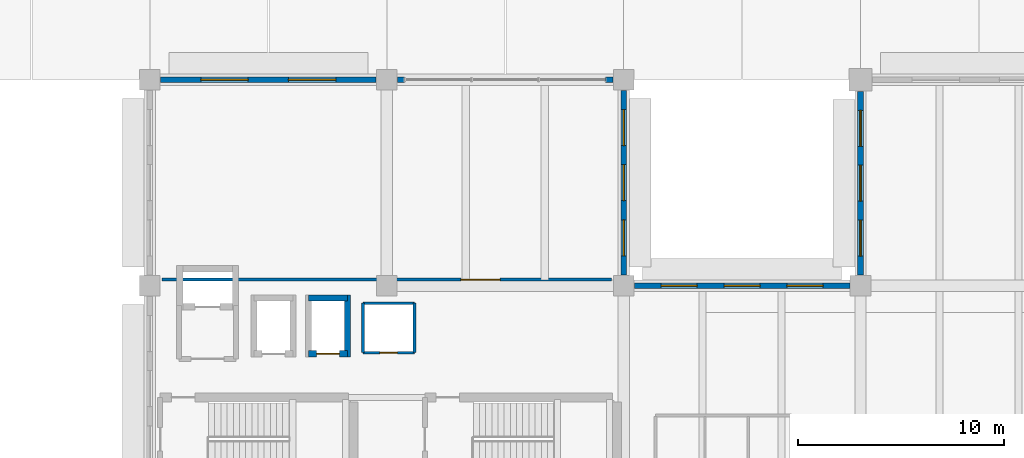
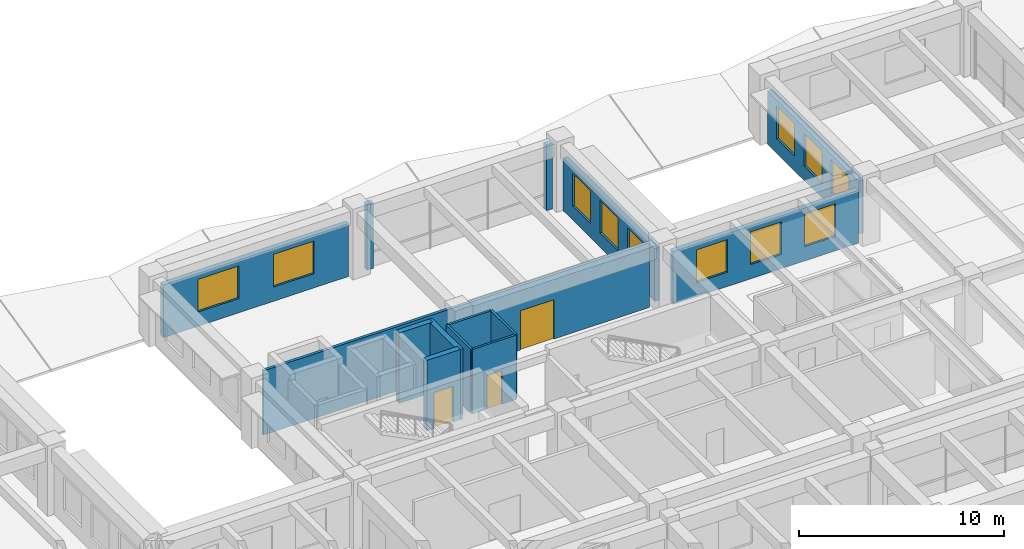
# One storey, part 75 of 98: 14 walls, 11 windows, 3 doors, 14 openings.
"""IFC4 building model written with IfcOpenShell, lengths in metres."""

import ifcopenshell
import ifcopenshell.guid

model = None  # the IFC model being written
_history = None  # IfcOwnerHistory: only IFC2X3 demands one
_inside = {}  # id of a spatial element -> (the spatial element, [elements in it])
_under = {}  # id of a project, library or spatial element -> (it, [spatial elements below it])
_declared = {}  # id of a project -> (the project, [libraries it declares])
_typed = {}  # id of a type object -> (the type object, [elements of that type])
_made_of = {}  # id of a material, layer set ... -> (it, [elements and type objects made of it])


def new_model(schema):
    """Start an empty IFC model of exactly this schema.

    Asked for "IFC4X3", IfcOpenShell would pick the latest addendum, in which some entities
    have other attributes; the version numbers below select the first issue.
    IFC2X3 requires an IfcOwnerHistory on every rooted entity: one is made here for all.
    """
    global model, _history
    if schema == "IFC4X3":
        model = ifcopenshell.file(schema_version=(4, 3, 0, 0))
    else:
        model = ifcopenshell.file(schema=schema)
    _inside.clear()
    _under.clear()
    _declared.clear()
    _typed.clear()
    _made_of.clear()
    _history = None
    if model.schema == "IFC2X3":
        org = make("IfcOrganization", Name="unknown")
        user = make(
            "IfcPersonAndOrganization",
            ThePerson=make("IfcPerson", FamilyName="unknown"),
            TheOrganization=org,
        )
        app = make(
            "IfcApplication",
            ApplicationDeveloper=org,
            Version="unknown",
            ApplicationFullName="unknown",
            ApplicationIdentifier="unknown",
        )
        _history = make(
            "IfcOwnerHistory",
            OwningUser=user,
            OwningApplication=app,
            ChangeAction="ADDED",
            CreationDate=0,
        )
    return model


def make(cls, **values):
    """One entity of the class cls with the attributes given. An attribute that is None is left unset."""
    return model.create_entity(
        cls, **{name: value for name, value in values.items() if value is not None}
    )


def rooted(cls, **values):
    """An entity with a GlobalId (a new one), such as an element, a storey or a relation."""
    return make(cls, GlobalId=ifcopenshell.guid.new(), OwnerHistory=_history, **values)


def si_unit(unit_type, name, prefix=None):
    """IfcSIUnit, for example si_unit("LENGTHUNIT", "METRE", prefix="MILLI")."""
    return make("IfcSIUnit", UnitType=unit_type, Prefix=prefix, Name=name)


def assignment(units):
    """IfcUnitAssignment: the units of a project."""
    return None if units is None else make("IfcUnitAssignment", Units=units)


def point(xyz):
    """IfcCartesianPoint."""
    return None if xyz is None else make("IfcCartesianPoint", Coordinates=xyz)


def direction(xyz):
    """IfcDirection."""
    return None if xyz is None else make("IfcDirection", DirectionRatios=xyz)


def frame(location, z_axis=None, x_axis=None):
    """IfcAxis2Placement3D, a coordinate frame: its origin and axes. An axis left out is left unset."""
    return make(
        "IfcAxis2Placement3D",
        Location=point(location),
        Axis=direction(z_axis),
        RefDirection=direction(x_axis),
    )


def frame_2d(location, x_axis=None):
    """IfcAxis2Placement2D, a coordinate frame in the plane: its origin and x axis."""
    return make(
        "IfcAxis2Placement2D", Location=point(location), RefDirection=direction(x_axis)
    )


def origin():
    """The frame at (0, 0, 0) with its axes left unset."""
    return frame((0.0, 0.0, 0.0))


def place(relative_to, where):
    """IfcLocalPlacement: puts the frame where relative to a parent placement (None: the world)."""
    return make(
        "IfcLocalPlacement", PlacementRelTo=relative_to, RelativePlacement=where
    )


def context(
    kind, dimensions, precision=None, world=None, true_north=None, identifier=None
):
    """IfcGeometricRepresentationContext, for example the 3D "Model" context."""
    return make(
        "IfcGeometricRepresentationContext",
        ContextIdentifier=identifier,
        ContextType=kind,
        CoordinateSpaceDimension=dimensions,
        Precision=precision,
        WorldCoordinateSystem=world,
        TrueNorth=true_north,
    )


def subcontext(parent, identifier, kind, view, scale=None):
    """IfcGeometricRepresentationSubContext, for example "Body" below "Model"."""
    return make(
        "IfcGeometricRepresentationSubContext",
        ContextIdentifier=identifier,
        ContextType=kind,
        ParentContext=parent,
        TargetScale=scale,
        TargetView=view,
    )


def project(units=None, contexts=None):
    """IfcProject with its units and contexts."""
    return rooted(
        "IfcProject",
        Name="project",
        RepresentationContexts=contexts,
        UnitsInContext=assignment(units),
    )


def spatial(cls, under=None, at=None, **own):
    """A site, building, storey or space (cls), placed at a placement, below another one or the project."""
    s = rooted(cls, ObjectPlacement=at, **own)
    if under is not None:
        _under.setdefault(under.id(), (under, []))[1].append(s)
    return s


def profile(cls, at=None, kind="AREA", **sizes):
    """A parametric profile (cls). Its sizes go by their IFC names, for example OverallWidth=200.0."""
    return make(cls, ProfileType=kind, Position=at, **sizes)


def rectangle(**sizes):
    """IfcRectangleProfileDef."""
    return profile("IfcRectangleProfileDef", **sizes)


def extrude(swept, where, along, depth):
    """IfcExtrudedAreaSolid: the profile swept, set in the frame where, extruded along a direction by depth."""
    return make(
        "IfcExtrudedAreaSolid",
        SweptArea=swept,
        Position=where,
        ExtrudedDirection=direction(along),
        Depth=depth,
    )


def shape(context_of_items, identifier, shape_type, items):
    """IfcShapeRepresentation: the items that make up one representation, for example the "Body"."""
    return make(
        "IfcShapeRepresentation",
        ContextOfItems=context_of_items,
        RepresentationIdentifier=identifier,
        RepresentationType=shape_type,
        Items=items,
    )


def material(Name=None, Category=None):
    """IfcMaterial."""
    return make("IfcMaterial", Name=Name, Category=Category)


def layer(
    of_material, thickness, ventilated=None, Name=None, Category=None, Priority=None
):
    """IfcMaterialLayer: one layer of a wall or slab, of a material (None: an air gap)."""
    return make(
        "IfcMaterialLayer",
        Material=of_material,
        LayerThickness=thickness,
        IsVentilated=ventilated,
        Name=Name,
        Category=Category,
        Priority=Priority,
    )


def layer_set(layers, Name=None):
    """IfcMaterialLayerSet."""
    return make("IfcMaterialLayerSet", MaterialLayers=layers, LayerSetName=Name)


def made_of(thing, what):
    """Note that an element or type object is made of a material, layer set ...; save() writes the relation."""
    if what is not None:
        _made_of.setdefault(what.id(), (what, []))[1].append(thing)
    return thing


def type_object(cls, material=None, **own):
    """A type object (cls), such as IfcWallType, which elements share."""
    return made_of(rooted(cls, **own), material)


def element(
    cls,
    number,
    at=None,
    inside=None,
    cuts=None,
    type_object=None,
    material=None,
    context=None,
    identifier="Body",
    shape_type=None,
    held_by="IfcProductDefinitionShape",
    body=None,
    shapes=None,
    **own,
):
    """One element of the class cls, such as IfcWall. Its Tag is "e" and its number.

    at: its placement. inside: the storey or other place that contains it. cuts: it is an
    opening in that element (IfcRelVoidsElement). A single representation is given by context,
    identifier, shape_type and body (its items); several are given by shapes. held_by: the class
    of the entity that holds the representations. save() writes the other relations.
    """
    e = rooted(cls, Tag="e%d" % number, ObjectPlacement=at, **own)
    if body is not None:
        shapes = [shape(context, identifier, shape_type, body)]
    if shapes is not None:
        e.Representation = make(held_by, Representations=shapes)
    if inside is not None:
        _inside.setdefault(inside.id(), (inside, []))[1].append(e)
    if cuts is not None:
        rooted(
            "IfcRelVoidsElement", RelatingBuildingElement=cuts, RelatedOpeningElement=e
        )
    if type_object is not None:
        _typed.setdefault(type_object.id(), (type_object, []))[1].append(e)
    return made_of(e, material)


def fill(opening, filler):
    """IfcRelFillsElement: the door or window that sits in an opening."""
    return rooted(
        "IfcRelFillsElement",
        RelatingOpeningElement=opening,
        RelatedBuildingElement=filler,
    )


def aggregate(whole, parts):
    """IfcRelAggregates: a whole, such as a stair, and the parts it consists of."""
    return rooted("IfcRelAggregates", RelatingObject=whole, RelatedObjects=parts)


def save(model, path):
    """Write the relations noted so far, then the file.

    IfcRelAggregates (storeys below a building ...), IfcRelContainedInSpatialStructure (elements
    in a storey), IfcRelDefinesByType, IfcRelAssociatesMaterial and IfcRelDeclares: one each for
    every whole, place, type object, material and project.
    """
    for whole, parts in _under.values():
        aggregate(whole, parts)
    for where, things in _inside.values():
        rooted(
            "IfcRelContainedInSpatialStructure",
            RelatedElements=things,
            RelatingStructure=where,
        )
    for kind, things in _typed.values():
        rooted("IfcRelDefinesByType", RelatedObjects=things, RelatingType=kind)
    for what, things in _made_of.values():
        rooted("IfcRelAssociatesMaterial", RelatedObjects=things, RelatingMaterial=what)
    for by, libraries in _declared.values():
        rooted("IfcRelDeclares", RelatingContext=by, RelatedDefinitions=libraries)
    model.write(path)


model = new_model("IFC4")

# Units and contexts
model_context = context("Model", 3, precision=1e-05, world=origin(), true_north=direction((0.0, 1.0)))
body_context = subcontext(model_context, "Body", "Model", "MODEL_VIEW")
ifc_project = project(units=[si_unit("LENGTHUNIT", "METRE"), si_unit("AREAUNIT", "SQUARE_METRE"), si_unit("VOLUMEUNIT", "CUBIC_METRE"), si_unit("PLANEANGLEUNIT", "RADIAN"), si_unit("MASSUNIT", "GRAM", prefix="KILO")], contexts=[model_context])

# Site, building, storey
site_placement = place(None, origin())
site = spatial("IfcSite", under=ifc_project, at=site_placement, CompositionType="ELEMENT")
building_placement = place(site_placement, origin())
building = spatial("IfcBuilding", under=site, at=building_placement, Name="Ologun Quay Terminus", CompositionType="ELEMENT")
storey_placement = place(building_placement, frame((0.0, 0.0, 4.199951171875)))
storey = spatial("IfcBuildingStorey", under=building, at=storey_placement, Name="L01", CompositionType="ELEMENT", Elevation=4.199951171875)

# Wall, openings, windows
ifc_material_1 = material(Name="Concrete C40/50", Category="concrete")
ifc_layer_1 = layer(ifc_material_1, 0.280029296875)
ifc_layer_set_1 = layer_set([ifc_layer_1], Name="Concrete C40/50")
wall_type_1 = type_object("IfcWallType", Name="Courtyard Wing Spandrel Concrete Wall 280", PredefinedType="SOLIDWALL", material=ifc_layer_set_1)
wall_1_placement = place(storey_placement, frame((57.5, 105.320068359375, 0.0), z_axis=(0.0, 0.0, 1.0), x_axis=(0.0, 1.0, 0.0)))
wall_1 = element("IfcWall", 1, at=wall_1_placement, inside=storey, type_object=wall_type_1, Name="EW-02 Facade Wall WEW-WW-O-L01-11", PredefinedType="SOLIDWALL", context=body_context, shape_type="SweptSolid", body=[
    extrude(rectangle(XDim=8.909912109375, YDim=0.280029296875, at=frame_2d((4.455078125, 0.0))), origin(), (0.0, 0.0, 1.0), 3.150146484375),
])
opening_1_placement = place(wall_1_placement, frame((0.9150390625, 0.0, 0.85009765625)))
opening_1 = element("IfcOpeningElement", 2, at=opening_1_placement, cuts=wall_1, Name="Opening WN-205", PredefinedType="OPENING", context=body_context, shape_type="SweptSolid", body=[
    extrude(rectangle(XDim=1.75, YDim=1.949951171875, at=frame_2d((0.875, 0.97509765625))), frame((0.0, 0.14990234375, 0.0), z_axis=(0.0, -1.0, 0.0), x_axis=(1.0, 0.0, 0.0)), (0.0, 0.0, 1.0), 0.300048828125),
])
opening_2_placement = place(wall_1_placement, frame((3.580078125, 0.0, 0.85009765625)))
opening_2 = element("IfcOpeningElement", 3, at=opening_2_placement, cuts=wall_1, Name="Opening WN-206", PredefinedType="OPENING", context=body_context, shape_type="SweptSolid", body=[
    extrude(rectangle(XDim=1.75, YDim=1.949951171875, at=frame_2d((0.875, 0.97509765625))), frame((0.0, 0.14990234375, 0.0), z_axis=(0.0, -1.0, 0.0), x_axis=(1.0, 0.0, 0.0)), (0.0, 0.0, 1.0), 0.300048828125),
])
opening_3_placement = place(wall_1_placement, frame((6.2451171875, 0.0, 0.85009765625)))
opening_3 = element("IfcOpeningElement", 4, at=opening_3_placement, cuts=wall_1, Name="Opening WN-207", PredefinedType="OPENING", context=body_context, shape_type="SweptSolid", body=[
    extrude(rectangle(XDim=1.75, YDim=1.949951171875, at=frame_2d((0.875, 0.97509765625))), frame((0.0, 0.14990234375, 0.0), z_axis=(0.0, -1.0, 0.0), x_axis=(1.0, 0.0, 0.0)), (0.0, 0.0, 1.0), 0.300048828125),
])
ifc_material_2 = material(Name="Glass", Category="glass")
window_type_1 = type_object("IfcWindowType", Name="Waterfront Pavilion Paired Window 1750x1950", PartitioningType="SINGLE_PANEL", PredefinedType="WINDOW", material=ifc_material_2)
window_1_placement = place(opening_1_placement, origin())
window_1 = element("IfcWindow", 5, at=window_1_placement, inside=storey, type_object=window_type_1, Name="W-12 Window WN-205", OverallHeight=1.949951171875, OverallWidth=1.75, PartitioningType="SINGLE_PANEL", PredefinedType="WINDOW", context=body_context, shape_type="SweptSolid", body=[
    extrude(rectangle(XDim=1.75, YDim=1.949951171875, at=frame_2d((0.875, 0.97509765625))), frame((0.0, 0.030029296875, 0.0), z_axis=(0.0, -1.0, 0.0), x_axis=(1.0, 0.0, 0.0)), (0.0, 0.0, 1.0), 0.06005859375),
])
fill(opening_1, window_1)
window_2_placement = place(opening_2_placement, origin())
window_2 = element("IfcWindow", 6, at=window_2_placement, inside=storey, type_object=window_type_1, Name="W-12 Window WN-206", OverallHeight=1.949951171875, OverallWidth=1.75, PartitioningType="SINGLE_PANEL", PredefinedType="WINDOW", context=body_context, shape_type="SweptSolid", body=[
    extrude(rectangle(XDim=1.75, YDim=1.949951171875, at=frame_2d((0.875, 0.97509765625))), frame((0.0, 0.030029296875, 0.0), z_axis=(0.0, -1.0, 0.0), x_axis=(1.0, 0.0, 0.0)), (0.0, 0.0, 1.0), 0.06005859375),
])
fill(opening_2, window_2)
window_3_placement = place(opening_3_placement, origin())
window_3 = element("IfcWindow", 7, at=window_3_placement, inside=storey, type_object=window_type_1, Name="W-12 Window WN-207", OverallHeight=1.949951171875, OverallWidth=1.75, PartitioningType="SINGLE_PANEL", PredefinedType="WINDOW", context=body_context, shape_type="SweptSolid", body=[
    extrude(rectangle(XDim=1.75, YDim=1.949951171875, at=frame_2d((0.875, 0.97509765625))), frame((0.0, 0.030029296875, 0.0), z_axis=(0.0, -1.0, 0.0), x_axis=(1.0, 0.0, 0.0)), (0.0, 0.0, 1.0), 0.06005859375),
])
fill(opening_3, window_3)

wall_2_placement = place(storey_placement, frame((46.52001953125, 104.800048828125, 0.0), z_axis=(0.0, 0.0, 1.0), x_axis=(1.0, 0.0, 0.0)))
wall_2 = element("IfcWall", 8, at=wall_2_placement, inside=storey, type_object=wall_type_1, Name="EW-02 Facade Wall WEW-WW-O-L01-12", PredefinedType="SOLIDWALL", context=body_context, shape_type="SweptSolid", body=[
    extrude(rectangle(XDim=10.4599609375, YDim=0.280029296875, at=frame_2d((5.22998046875, 0.0))), origin(), (0.0, 0.0, 1.0), 3.150146484375),
])
opening_4_placement = place(wall_2_placement, frame((1.302490234375, 0.0, 0.85009765625)))
opening_4 = element("IfcOpeningElement", 9, at=opening_4_placement, cuts=wall_2, Name="Opening WN-208", PredefinedType="OPENING", context=body_context, shape_type="SweptSolid", body=[
    extrude(rectangle(XDim=1.75, YDim=1.949951171875, at=frame_2d((0.875, 0.97509765625))), frame((0.0, 0.14990234375, 0.0), z_axis=(0.0, -1.0, 0.0), x_axis=(1.0, 0.0, 0.0)), (0.0, 0.0, 1.0), 0.300048828125),
])
opening_5_placement = place(wall_2_placement, frame((4.35498046875, 0.0, 0.85009765625)))
opening_5 = element("IfcOpeningElement", 10, at=opening_5_placement, cuts=wall_2, Name="Opening WN-209", PredefinedType="OPENING", context=body_context, shape_type="SweptSolid", body=[
    extrude(rectangle(XDim=1.75, YDim=1.949951171875, at=frame_2d((0.875, 0.97509765625))), frame((0.0, 0.14990234375, 0.0), z_axis=(0.0, -1.0, 0.0), x_axis=(1.0, 0.0, 0.0)), (0.0, 0.0, 1.0), 0.300048828125),
])
opening_6_placement = place(wall_2_placement, frame((7.407470703125, 0.0, 0.85009765625)))
opening_6 = element("IfcOpeningElement", 11, at=opening_6_placement, cuts=wall_2, Name="Opening WN-210", PredefinedType="OPENING", context=body_context, shape_type="SweptSolid", body=[
    extrude(rectangle(XDim=1.75, YDim=1.949951171875, at=frame_2d((0.875, 0.97509765625))), frame((0.0, 0.14990234375, 0.0), z_axis=(0.0, -1.0, 0.0), x_axis=(1.0, 0.0, 0.0)), (0.0, 0.0, 1.0), 0.300048828125),
])
window_4_placement = place(opening_4_placement, origin())
window_4 = element("IfcWindow", 12, at=window_4_placement, inside=storey, type_object=window_type_1, Name="W-12 Window WN-208", OverallHeight=1.949951171875, OverallWidth=1.75, PartitioningType="SINGLE_PANEL", PredefinedType="WINDOW", context=body_context, shape_type="SweptSolid", body=[
    extrude(rectangle(XDim=1.75, YDim=1.949951171875, at=frame_2d((0.875, 0.97509765625))), frame((0.0, 0.030029296875, 0.0), z_axis=(0.0, -1.0, 0.0), x_axis=(1.0, 0.0, 0.0)), (0.0, 0.0, 1.0), 0.06005859375),
])
fill(opening_4, window_4)
window_5_placement = place(opening_5_placement, origin())
window_5 = element("IfcWindow", 13, at=window_5_placement, inside=storey, type_object=window_type_1, Name="W-12 Window WN-209", OverallHeight=1.949951171875, OverallWidth=1.75, PartitioningType="SINGLE_PANEL", PredefinedType="WINDOW", context=body_context, shape_type="SweptSolid", body=[
    extrude(rectangle(XDim=1.75, YDim=1.949951171875, at=frame_2d((0.875, 0.97509765625))), frame((0.0, 0.030029296875, 0.0), z_axis=(0.0, -1.0, 0.0), x_axis=(1.0, 0.0, 0.0)), (0.0, 0.0, 1.0), 0.06005859375),
])
fill(opening_5, window_5)
window_6_placement = place(opening_6_placement, origin())
window_6 = element("IfcWindow", 14, at=window_6_placement, inside=storey, type_object=window_type_1, Name="W-12 Window WN-210", OverallHeight=1.949951171875, OverallWidth=1.75, PartitioningType="SINGLE_PANEL", PredefinedType="WINDOW", context=body_context, shape_type="SweptSolid", body=[
    extrude(rectangle(XDim=1.75, YDim=1.949951171875, at=frame_2d((0.875, 0.97509765625))), frame((0.0, 0.030029296875, 0.0), z_axis=(0.0, -1.0, 0.0), x_axis=(1.0, 0.0, 0.0)), (0.0, 0.0, 1.0), 0.06005859375),
])
fill(opening_6, window_6)

wall_3_placement = place(storey_placement, frame((46.0, 105.320068359375, 0.0), z_axis=(0.0, 0.0, 1.0), x_axis=(0.0, 1.0, 0.0)))
wall_3 = element("IfcWall", 15, at=wall_3_placement, inside=storey, type_object=wall_type_1, Name="EW-02 Facade Wall WEW-WW-O-L01-13", PredefinedType="SOLIDWALL", context=body_context, shape_type="SweptSolid", body=[
    extrude(rectangle(XDim=8.9599609375, YDim=0.280029296875, at=frame_2d((4.47998046875, 0.0))), origin(), (0.0, 0.0, 1.0), 3.150146484375),
])
opening_7_placement = place(wall_3_placement, frame((0.927490234375, 0.0, 0.85009765625)))
opening_7 = element("IfcOpeningElement", 16, at=opening_7_placement, cuts=wall_3, Name="Opening WN-211", PredefinedType="OPENING", context=body_context, shape_type="SweptSolid", body=[
    extrude(rectangle(XDim=1.75, YDim=1.949951171875, at=frame_2d((0.875, 0.97509765625))), frame((0.0, 0.14990234375, 0.0), z_axis=(0.0, -1.0, 0.0), x_axis=(1.0, 0.0, 0.0)), (0.0, 0.0, 1.0), 0.300048828125),
])
opening_8_placement = place(wall_3_placement, frame((3.60498046875, 0.0, 0.85009765625)))
opening_8 = element("IfcOpeningElement", 17, at=opening_8_placement, cuts=wall_3, Name="Opening WN-212", PredefinedType="OPENING", context=body_context, shape_type="SweptSolid", body=[
    extrude(rectangle(XDim=1.75, YDim=1.949951171875, at=frame_2d((0.875, 0.97509765625))), frame((0.0, 0.14990234375, 0.0), z_axis=(0.0, -1.0, 0.0), x_axis=(1.0, 0.0, 0.0)), (0.0, 0.0, 1.0), 0.300048828125),
])
opening_9_placement = place(wall_3_placement, frame((6.282470703125, 0.0, 0.85009765625)))
opening_9 = element("IfcOpeningElement", 18, at=opening_9_placement, cuts=wall_3, Name="Opening WN-213", PredefinedType="OPENING", context=body_context, shape_type="SweptSolid", body=[
    extrude(rectangle(XDim=1.75, YDim=1.949951171875, at=frame_2d((0.875, 0.97509765625))), frame((0.0, 0.14990234375, 0.0), z_axis=(0.0, -1.0, 0.0), x_axis=(1.0, 0.0, 0.0)), (0.0, 0.0, 1.0), 0.300048828125),
])
window_7_placement = place(opening_7_placement, origin())
window_7 = element("IfcWindow", 19, at=window_7_placement, inside=storey, type_object=window_type_1, Name="W-12 Window WN-211", OverallHeight=1.949951171875, OverallWidth=1.75, PartitioningType="SINGLE_PANEL", PredefinedType="WINDOW", context=body_context, shape_type="SweptSolid", body=[
    extrude(rectangle(XDim=1.75, YDim=1.949951171875, at=frame_2d((0.875, 0.97509765625))), frame((0.0, 0.030029296875, 0.0), z_axis=(0.0, -1.0, 0.0), x_axis=(1.0, 0.0, 0.0)), (0.0, 0.0, 1.0), 0.06005859375),
])
fill(opening_7, window_7)
window_8_placement = place(opening_8_placement, origin())
window_8 = element("IfcWindow", 20, at=window_8_placement, inside=storey, type_object=window_type_1, Name="W-12 Window WN-212", OverallHeight=1.949951171875, OverallWidth=1.75, PartitioningType="SINGLE_PANEL", PredefinedType="WINDOW", context=body_context, shape_type="SweptSolid", body=[
    extrude(rectangle(XDim=1.75, YDim=1.949951171875, at=frame_2d((0.875, 0.97509765625))), frame((0.0, 0.030029296875, 0.0), z_axis=(0.0, -1.0, 0.0), x_axis=(1.0, 0.0, 0.0)), (0.0, 0.0, 1.0), 0.06005859375),
])
fill(opening_8, window_8)
window_9_placement = place(opening_9_placement, origin())
window_9 = element("IfcWindow", 21, at=window_9_placement, inside=storey, type_object=window_type_1, Name="W-12 Window WN-213", OverallHeight=1.949951171875, OverallWidth=1.75, PartitioningType="SINGLE_PANEL", PredefinedType="WINDOW", context=body_context, shape_type="SweptSolid", body=[
    extrude(rectangle(XDim=1.75, YDim=1.949951171875, at=frame_2d((0.875, 0.97509765625))), frame((0.0, 0.030029296875, 0.0), z_axis=(0.0, -1.0, 0.0), x_axis=(1.0, 0.0, 0.0)), (0.0, 0.0, 1.0), 0.06005859375),
])
fill(opening_9, window_9)

wall_4_placement = place(storey_placement, frame((23.52001953125, 114.800048828125, 0.0), z_axis=(0.0, 0.0, 1.0), x_axis=(1.0, 0.0, 0.0)))
wall_4 = element("IfcWall", 22, at=wall_4_placement, inside=storey, type_object=wall_type_1, Name="EW-02 Facade Wall WEW-WW-N-L01-14", PredefinedType="SOLIDWALL", context=body_context, shape_type="SweptSolid", body=[
    extrude(rectangle(XDim=10.4599609375, YDim=0.280029296875, at=frame_2d((5.22998046875, 0.0))), origin(), (0.0, 0.0, 1.0), 3.150146484375),
])
opening_10_placement = place(wall_4_placement, frame((1.953369140625, 0.0, 0.85009765625)))
opening_10 = element("IfcOpeningElement", 23, at=opening_10_placement, cuts=wall_4, Name="Opening WN-214", PredefinedType="OPENING", context=body_context, shape_type="SweptSolid", body=[
    extrude(rectangle(XDim=2.300048828125, YDim=1.949951171875, at=frame_2d((1.14990234375, 0.97509765625))), frame((0.0, 0.14990234375, 0.0), z_axis=(0.0, -1.0, 0.0), x_axis=(1.0, 0.0, 0.0)), (0.0, 0.0, 1.0), 0.300048828125),
])
opening_11_placement = place(wall_4_placement, frame((6.206787109375, 0.0, 0.85009765625)))
opening_11 = element("IfcOpeningElement", 24, at=opening_11_placement, cuts=wall_4, Name="Opening WN-215", PredefinedType="OPENING", context=body_context, shape_type="SweptSolid", body=[
    extrude(rectangle(XDim=2.300048828125, YDim=1.949951171875, at=frame_2d((1.14990234375, 0.97509765625))), frame((0.0, 0.14990234375, 0.0), z_axis=(0.0, -1.0, 0.0), x_axis=(1.0, 0.0, 0.0)), (0.0, 0.0, 1.0), 0.300048828125),
])
ifc_material_3 = material(Name="Glass", Category="glass")
window_type_2 = type_object("IfcWindowType", Name="Waterfront Dining Ribbon Window 2300x1950", PartitioningType="SINGLE_PANEL", PredefinedType="WINDOW", material=ifc_material_3)
window_10_placement = place(opening_10_placement, origin())
window_10 = element("IfcWindow", 25, at=window_10_placement, inside=storey, type_object=window_type_2, Name="W-13 Window WN-214", OverallHeight=1.949951171875, OverallWidth=2.300048828125, PartitioningType="SINGLE_PANEL", PredefinedType="WINDOW", context=body_context, shape_type="SweptSolid", body=[
    extrude(rectangle(XDim=2.300048828125, YDim=1.949951171875, at=frame_2d((1.14990234375, 0.97509765625))), frame((0.0, 0.030029296875, 0.0), z_axis=(0.0, -1.0, 0.0), x_axis=(1.0, 0.0, 0.0)), (0.0, 0.0, 1.0), 0.06005859375),
])
fill(opening_10, window_10)
window_11_placement = place(opening_11_placement, origin())
window_11 = element("IfcWindow", 26, at=window_11_placement, inside=storey, type_object=window_type_2, Name="W-13 Window WN-215", OverallHeight=1.949951171875, OverallWidth=2.300048828125, PartitioningType="SINGLE_PANEL", PredefinedType="WINDOW", context=body_context, shape_type="SweptSolid", body=[
    extrude(rectangle(XDim=2.300048828125, YDim=1.949951171875, at=frame_2d((1.14990234375, 0.97509765625))), frame((0.0, 0.030029296875, 0.0), z_axis=(0.0, -1.0, 0.0), x_axis=(1.0, 0.0, 0.0)), (0.0, 0.0, 1.0), 0.06005859375),
])
fill(opening_11, window_11)

# Walls
for number, where, z_axis, x_axis, name in (
    (27, (35.02001953125, 114.800048828125, 0.0), (0.0, 0.0, 1.0), (1.0, 0.0, 0.0), "Curtain Wall Jamb Pier CW-L01-102-J1"),
    (28, (45.1298828125, 114.800048828125, 0.0), (0.0, 0.0, 1.0), (1.0, 0.0, 0.0), "Curtain Wall Jamb Pier CW-L01-102-J2"),
):
    element("IfcWall", number, at=place(storey_placement, frame(where, z_axis=z_axis, x_axis=x_axis)), inside=storey, type_object=wall_type_1, Name=name, PredefinedType="SOLIDWALL", context=body_context, shape_type="SweptSolid", body=[
        extrude(rectangle(XDim=0.35009765625, YDim=0.280029296875, at=frame_2d((0.175048828125, 0.0))), origin(), (0.0, 0.0, 1.0), 3.929931640625),
    ])

# Wall, opening, door
ifc_material_4 = material(Name="Concrete C40/50", Category="concrete")
ifc_layer_2 = layer(ifc_material_4, 0.300048828125)
ifc_layer_set_2 = layer_set([ifc_layer_2], Name="Concrete C40/50")
wall_type_2 = type_object("IfcWallType", Name="Lift Shaft Structural Shear Wall 300", PredefinedType="SHEAR", material=ifc_layer_set_2)
wall_5_placement = place(storey_placement, frame((30.699951171875, 101.5, 0.0), z_axis=(0.0, 0.0, 1.0), x_axis=(1.0, 0.0, 0.0)))
wall_5 = element("IfcWall", 29, at=wall_5_placement, inside=storey, type_object=wall_type_2, Name="Lift PL-W2 Shaft Wall S L01", PredefinedType="SHEAR", context=body_context, shape_type="SweptSolid", body=[
    extrude(rectangle(XDim=1.900146484375, YDim=0.300048828125, at=frame_2d((0.9501953125, 0.0))), origin(), (0.0, 0.0, 1.0), 4.199951171875),
])
opening_12_placement = place(wall_5_placement, frame((0.39990234375, 0.0, 0.0)))
opening_12 = element("IfcOpeningElement", 30, at=opening_12_placement, cuts=wall_5, Name="Opening ID-026", PredefinedType="OPENING", context=body_context, shape_type="SweptSolid", body=[
    extrude(rectangle(XDim=1.10009765625, YDim=2.14990234375, at=frame_2d((0.550048828125, 1.074951171875))), frame((0.0, 0.16015625, 0.0), z_axis=(0.0, -1.0, 0.0), x_axis=(1.0, 0.0, 0.0)), (0.0, 0.0, 1.0), 0.320068359375),
])
ifc_material_5 = material(Name="Steel S355", Category="steel")
door_type_1 = type_object("IfcDoorType", Name="Lift Landing Sliding Door 1100x2150", OperationType="SLIDING_TO_LEFT", PredefinedType="DOOR", material=ifc_material_5)
door_1_placement = place(opening_12_placement, origin())
door_1 = element("IfcDoor", 31, at=door_1_placement, inside=storey, type_object=door_type_1, Name="LD-01 Door ID-026", OperationType="SLIDING_TO_LEFT", OverallHeight=2.14990234375, OverallWidth=1.10009765625, PredefinedType="DOOR", context=body_context, shape_type="SweptSolid", body=[
    extrude(rectangle(XDim=1.10009765625, YDim=2.14990234375, at=frame_2d((0.550048828125, 1.074951171875))), frame((0.0, 0.02490234375, 0.0), z_axis=(0.0, -1.0, 0.0), x_axis=(1.0, 0.0, 0.0)), (0.0, 0.0, 1.0), 0.050048828125),
])
fill(opening_12, door_1)

# Walls
wall_6_placement = place(storey_placement, frame((30.699951171875, 104.199951171875, 0.0), z_axis=(0.0, 0.0, 1.0), x_axis=(1.0, 0.0, 0.0)))
element("IfcWall", 32, at=wall_6_placement, inside=storey, type_object=wall_type_2, Name="Lift PL-W2 Shaft Wall N L01", PredefinedType="SHEAR", context=body_context, shape_type="SweptSolid", body=[
    extrude(rectangle(XDim=1.900146484375, YDim=0.300048828125, at=frame_2d((0.9501953125, 0.0))), origin(), (0.0, 0.0, 1.0), 4.199951171875),
])
wall_7_placement = place(storey_placement, frame((32.60009765625, 101.35009765625, 0.0), z_axis=(0.0, 0.0, 1.0), x_axis=(0.0, 1.0, 0.0)))
element("IfcWall", 33, at=wall_7_placement, inside=storey, type_object=wall_type_2, Name="Lift PL-W2 Shaft Wall E L01", PredefinedType="SHEAR", context=body_context, shape_type="SweptSolid", body=[
    extrude(rectangle(XDim=3.0, YDim=0.300048828125, at=frame_2d((1.5, 0.0))), origin(), (0.0, 0.0, 1.0), 4.199951171875),
])

# Wall, opening, door
ifc_material_6 = material(Name="Concrete C40/50", Category="concrete")
ifc_layer_3 = layer(ifc_material_6, 0.159912109375)
ifc_layer_set_3 = layer_set([ifc_layer_3], Name="Concrete C40/50")
wall_type_3 = type_object("IfcWallType", Name="Retail & Lounge Separation Wall 160", PredefinedType="PARTITIONING", material=ifc_layer_set_3)
wall_8_placement = place(storey_placement, frame((23.60009765625, 105.10009765625, 0.0), z_axis=(0.0, 0.0, 1.0), x_axis=(1.0, 0.0, 0.0)))
wall_8 = element("IfcWall", 34, at=wall_8_placement, inside=storey, type_object=wall_type_3, Name="PW-04 Partition L01-CraftArcade-S", PredefinedType="PARTITIONING", context=body_context, shape_type="SweptSolid", body=[
    extrude(rectangle(XDim=21.7998046875, YDim=0.159912109375, at=frame_2d((10.89990234375, 0.0))), origin(), (0.0, 0.0, 1.0), 3.840087890625),
])
opening_13_placement = place(wall_8_placement, frame((14.5, 0.0, 0.0)))
opening_13 = element("IfcOpeningElement", 35, at=opening_13_placement, cuts=wall_8, Name="Opening ID-308", PredefinedType="OPENING", context=body_context, shape_type="SweptSolid", body=[
    extrude(rectangle(XDim=1.89990234375, YDim=2.35009765625, at=frame_2d((0.949951171875, 1.175048828125))), frame((0.0, 0.08984375, 0.0), z_axis=(0.0, -1.0, 0.0), x_axis=(1.0, 0.0, 0.0)), (0.0, 0.0, 1.0), 0.179931640625),
])
ifc_material_7 = material(Name="Glass", Category="glass")
door_type_2 = type_object("IfcDoorType", Name="Retail Shopfront Glazed Pair 1900x2350", OperationType="DOUBLE_DOOR_SINGLE_SWING", PredefinedType="DOOR", material=ifc_material_7)
door_2_placement = place(opening_13_placement, origin())
door_2 = element("IfcDoor", 36, at=door_2_placement, inside=storey, type_object=door_type_2, Name="ID-06 Door ID-308", OperationType="DOUBLE_DOOR_SINGLE_SWING", OverallHeight=2.35009765625, OverallWidth=1.89990234375, PredefinedType="DOOR", context=body_context, shape_type="SweptSolid", body=[
    extrude(rectangle(XDim=1.89990234375, YDim=2.35009765625, at=frame_2d((0.949951171875, 1.175048828125))), frame((0.0, 0.02490234375, 0.0), z_axis=(0.0, -1.0, 0.0), x_axis=(1.0, 0.0, 0.0)), (0.0, 0.0, 1.0), 0.050048828125),
])
fill(opening_13, door_2)

ifc_material_8 = material(Name="Concrete C40/50", Category="concrete")
ifc_layer_4 = layer(ifc_material_8, 0.1298828125)
ifc_layer_set_4 = layer_set([ifc_layer_4], Name="Concrete C40/50")
wall_type_4 = type_object("IfcWallType", Name="Riser & Service Duct Wall 130", PredefinedType="PLUMBINGWALL", material=ifc_layer_set_4)
wall_9_placement = place(storey_placement, frame((33.35009765625, 101.550048828125, 0.0), z_axis=(0.0, 0.0, 1.0), x_axis=(1.0, 0.0, 0.0)))
wall_9 = element("IfcWall", 37, at=wall_9_placement, inside=storey, type_object=wall_type_4, Name="PW-07 Partition WRiser-S", PredefinedType="PLUMBINGWALL", context=body_context, shape_type="SweptSolid", body=[
    extrude(rectangle(XDim=2.5, YDim=0.1298828125, at=frame_2d((1.25, 0.0))), origin(), (0.0, 0.0, 1.0), 3.840087890625),
])
opening_14_placement = place(wall_9_placement, frame((0.820068359375, 0.0, 0.0)))
opening_14 = element("IfcOpeningElement", 38, at=opening_14_placement, cuts=wall_9, Name="Opening ID-104", PredefinedType="OPENING", context=body_context, shape_type="SweptSolid", body=[
    extrude(rectangle(XDim=0.85009765625, YDim=2.0, at=frame_2d((0.425048828125, 1.0))), frame((0.0, 0.074951171875, 0.0), z_axis=(0.0, -1.0, 0.0), x_axis=(1.0, 0.0, 0.0)), (0.0, 0.0, 1.0), 0.14990234375),
])
ifc_material_9 = material(Name="Steel S355", Category="steel")
door_type_3 = type_object("IfcDoorType", Name="MEP Riser Access Trapdoor 850x2000", OperationType="SINGLE_SWING_LEFT", PredefinedType="TRAPDOOR", material=ifc_material_9)
door_3_placement = place(opening_14_placement, origin())
door_3 = element("IfcDoor", 39, at=door_3_placement, inside=storey, type_object=door_type_3, Name="RD-01 Door ID-104", OperationType="SINGLE_SWING_LEFT", OverallHeight=2.0, OverallWidth=0.85009765625, PredefinedType="TRAPDOOR", context=body_context, shape_type="SweptSolid", body=[
    extrude(rectangle(XDim=0.85009765625, YDim=2.0, at=frame_2d((0.425048828125, 1.0))), frame((0.0, 0.02490234375, 0.0), z_axis=(0.0, -1.0, 0.0), x_axis=(1.0, 0.0, 0.0)), (0.0, 0.0, 1.0), 0.050048828125),
])
fill(opening_14, door_3)

# Walls
for number, where, z_axis, x_axis, name in (
    (40, (33.35009765625, 101.550048828125, 0.0), (0.0, 0.0, 1.0), (0.0, 1.0, 0.0), "PW-07 Partition WRiser-W"),
    (41, (35.85009765625, 101.550048828125, 0.0), (0.0, 0.0, 1.0), (0.0, 1.0, 0.0), "PW-07 Partition WRiser-E"),
):
    element("IfcWall", number, at=place(storey_placement, frame(where, z_axis=z_axis, x_axis=x_axis)), inside=storey, type_object=wall_type_4, Name=name, PredefinedType="PLUMBINGWALL", context=body_context, shape_type="SweptSolid", body=[
        extrude(rectangle(XDim=2.39990234375, YDim=0.1298828125, at=frame_2d((1.199951171875, 0.0))), origin(), (0.0, 0.0, 1.0), 3.840087890625),
    ])
wall_10_placement = place(storey_placement, frame((33.35009765625, 103.949951171875, 0.0), z_axis=(0.0, 0.0, 1.0), x_axis=(1.0, 0.0, 0.0)))
element("IfcWall", 42, at=wall_10_placement, inside=storey, type_object=wall_type_4, Name="PW-07 Partition WRiser-N", PredefinedType="PLUMBINGWALL", context=body_context, shape_type="SweptSolid", body=[
    extrude(rectangle(XDim=2.5, YDim=0.1298828125, at=frame_2d((1.25, 0.0))), origin(), (0.0, 0.0, 1.0), 3.840087890625),
])

save(model, "model.ifc")
